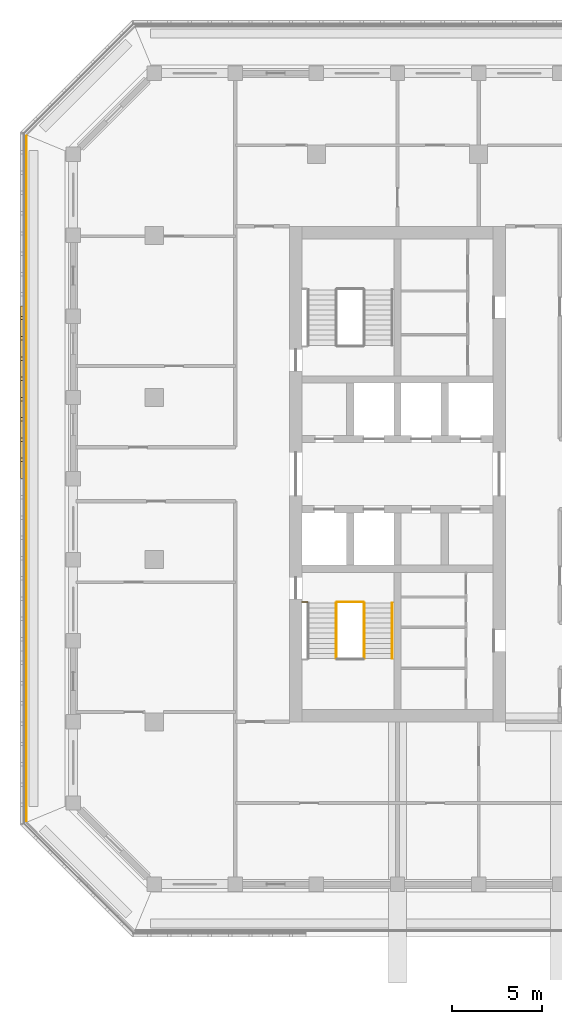
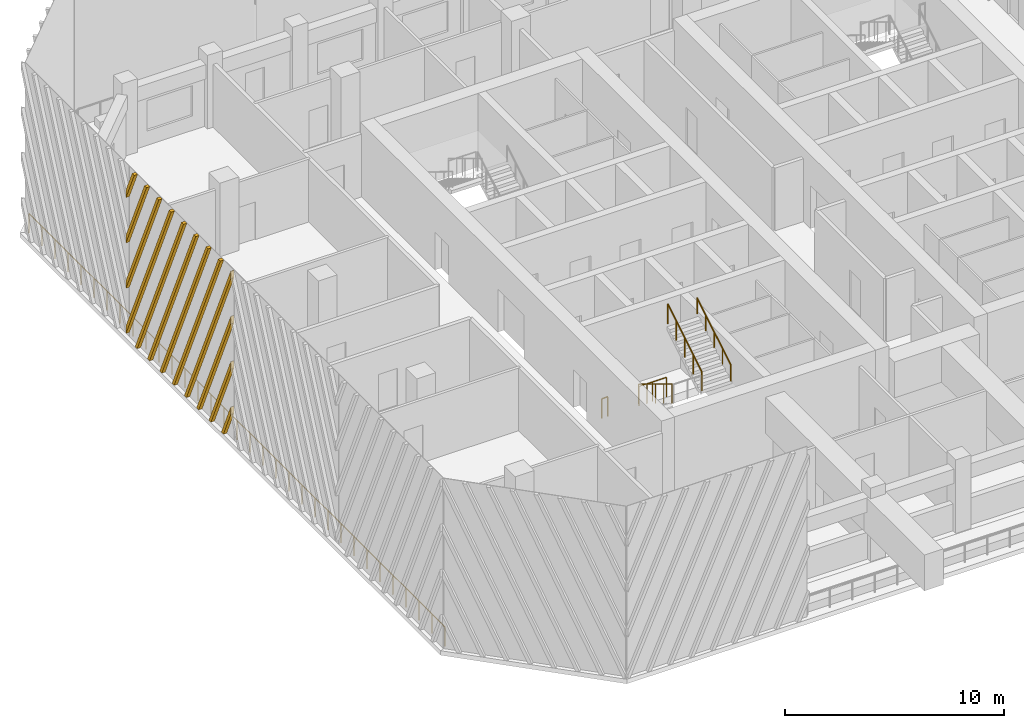
# One storey, part 11 of 16: 6 railings, 1 shading device.
"""IFC4 building model written with IfcOpenShell, lengths in metres."""

from ifc_helpers import new_model, si_unit, direction, frame, origin, origin_2d, place, context, subcontext, project, spatial, polyline, circle, outline, extrude, source, transform, mapped, material, type_object, element, save


model = new_model("IFC4")

# Units and contexts
model_context = context("Model", 3, precision=1e-05, world=origin(), true_north=direction((0.0, 1.0)))
body_context = subcontext(model_context, "Body", "Model", "MODEL_VIEW")
ifc_project = project(units=[si_unit("LENGTHUNIT", "METRE"), si_unit("AREAUNIT", "SQUARE_METRE"), si_unit("VOLUMEUNIT", "CUBIC_METRE"), si_unit("PLANEANGLEUNIT", "RADIAN"), si_unit("MASSUNIT", "GRAM", prefix="KILO")], contexts=[model_context])

# Site, building, storey
site_placement = place(None, origin())
site = spatial("IfcSite", under=ifc_project, at=site_placement, CompositionType="ELEMENT")
building_placement = place(site_placement, origin())
building = spatial("IfcBuilding", under=site, at=building_placement, Name="Corbel Stack Research Tower", CompositionType="ELEMENT")
storey_placement = place(building_placement, frame((0.0, 0.0, 290.89990234375)))
storey = spatial("IfcBuildingStorey", under=building, at=storey_placement, Name="L66", CompositionType="ELEMENT", Elevation=290.89990234375)

# Railings
ifc_material_1 = material(Name="Steel S355", Category="steel")
railing_type_1 = type_object("IfcRailingType", Name="Stair guard 1100", PredefinedType="GUARDRAIL", material=ifc_material_1)
railing_1_placement = place(storey_placement, frame((-7.89990234375, -2.39990234375, 0.1708984375)))
element("IfcRailing", 1, at=railing_1_placement, inside=storey, type_object=railing_type_1, Name="L66 ST-W1 stair guard 1", PredefinedType="GUARDRAIL", context=body_context, shape_type="SweptSolid", body=[
    extrude(circle(Radius=0.02392578125, at=origin_2d()), frame((0.0, 0.0, 1.076171875), z_axis=(0.0, -0.853666305674, 0.52082035152), x_axis=(1.0, 0.0, 0.0)), (0.0, 0.0, 1.0), 3.608154296875),
    extrude(circle(Radius=0.02099609375, at=origin_2d()), origin(), (0.0, 0.0, 1.0), 1.052001953125),
    extrude(circle(Radius=0.02099609375, at=origin_2d()), frame((0.0, -0.77001953125, 0.4697265625)), (0.0, 0.0, 1.0), 1.052001953125),
    extrude(circle(Radius=0.02099609375, at=origin_2d()), frame((0.0, -1.5400390625, 0.939453125)), (0.0, 0.0, 1.0), 1.052001953125),
    extrude(circle(Radius=0.02099609375, at=origin_2d()), frame((0.0, -2.31005859375, 1.409423828125)), (0.0, 0.0, 1.0), 1.052001953125),
    extrude(circle(Radius=0.02099609375, at=origin_2d()), frame((0.0, -3.080078125, 1.879150390625)), (0.0, 0.0, 1.0), 1.052001953125),
])
railing_2_placement = place(storey_placement, frame((-6.35009765625, -5.47998046875, 2.220947265625)))
element("IfcRailing", 2, at=railing_2_placement, inside=storey, type_object=railing_type_1, Name="L66 ST-W1 stair guard 4", PredefinedType="GUARDRAIL", context=body_context, shape_type="SweptSolid", body=[
    extrude(circle(Radius=0.02392578125, at=origin_2d()), frame((0.0, 0.0, 1.076171875), z_axis=(0.0, 0.853666305674, 0.52082035152), x_axis=(-1.0, 0.0, 0.0)), (0.0, 0.0, 1.0), 3.608154296875),
    extrude(circle(Radius=0.02099609375, at=origin_2d()), origin(), (0.0, 0.0, 1.0), 1.052001953125),
    extrude(circle(Radius=0.02099609375, at=origin_2d()), frame((0.0, 0.77001953125, 0.4697265625)), (0.0, 0.0, 1.0), 1.052001953125),
    extrude(circle(Radius=0.02099609375, at=origin_2d()), frame((0.0, 1.5400390625, 0.939453125)), (0.0, 0.0, 1.0), 1.052001953125),
    extrude(circle(Radius=0.02099609375, at=origin_2d()), frame((0.0, 2.31005859375, 1.409423828125)), (0.0, 0.0, 1.0), 1.052001953125),
    extrude(circle(Radius=0.02099609375, at=origin_2d()), frame((0.0, 3.080078125, 1.879150390625)), (0.0, 0.0, 1.0), 1.052001953125),
])
railing_3_placement = place(storey_placement, frame((-7.85009765625, -2.35009765625, 0.0)))
element("IfcRailing", 3, at=railing_3_placement, inside=storey, type_object=railing_type_1, Name="L66 ST-W1 stair guard 5", PredefinedType="GUARDRAIL", context=body_context, shape_type="SweptSolid", body=[
    extrude(circle(Radius=0.02392578125, at=origin_2d()), frame((0.0, 0.0, 1.076171875), z_axis=(1.0, 0.0, 0.0), x_axis=(0.0, 1.0, 0.0)), (0.0, 0.0, 1.0), 1.4501953125),
    extrude(circle(Radius=0.02099609375, at=origin_2d()), origin(), (0.0, 0.0, 1.0), 1.052001953125),
    extrude(circle(Radius=0.02099609375, at=origin_2d()), frame((0.72509765625, 0.0, 0.0)), (0.0, 0.0, 1.0), 1.052001953125),
    extrude(circle(Radius=0.02099609375, at=origin_2d()), frame((1.4501953125, 0.0, 0.0)), (0.0, 0.0, 1.0), 1.052001953125),
])
railing_4_placement = place(storey_placement, frame((-9.800048828125, -2.35009765625, 0.0)))
element("IfcRailing", 4, at=railing_4_placement, inside=storey, type_object=railing_type_1, Name="L66 ST-W1 stair guard 6", PredefinedType="GUARDRAIL", context=body_context, shape_type="SweptSolid", body=[
    extrude(circle(Radius=0.02392578125, at=origin_2d()), frame((0.0, 0.0, 1.076171875), z_axis=(1.0, 0.0, 0.0), x_axis=(0.0, 1.0, 0.0)), (0.0, 0.0, 1.0), 0.300048828125),
    extrude(circle(Radius=0.02099609375, at=origin_2d()), origin(), (0.0, 0.0, 1.0), 1.052001953125),
    extrude(circle(Radius=0.02099609375, at=origin_2d()), frame((0.300048828125, 0.0, 0.0)), (0.0, 0.0, 1.0), 1.052001953125),
])
ifc_material_2 = material(Name="Steel S355", Category="steel")
railing_type_2 = type_object("IfcRailingType", Name="Stair handrail 900", PredefinedType="HANDRAIL", material=ifc_material_2)
railing_5_placement = place(storey_placement, frame((-4.800048828125, -5.47998046875, 2.220947265625)))
element("IfcRailing", 5, at=railing_5_placement, inside=storey, type_object=railing_type_2, Name="L66 ST-W1 stair handrail 2", PredefinedType="HANDRAIL", context=body_context, shape_type="SweptSolid", body=[
    extrude(circle(Radius=0.02392578125, at=origin_2d()), frame((0.0, 0.0, 0.8759765625), z_axis=(0.0, 0.853666305674, 0.52082035152), x_axis=(-1.0, 0.0, 0.0)), (0.0, 0.0, 1.0), 3.608154296875),
    extrude(circle(Radius=0.02099609375, at=origin_2d()), origin(), (0.0, 0.0, 1.0), 0.851806640625),
    extrude(circle(Radius=0.02099609375, at=origin_2d()), frame((0.0, 0.77001953125, 0.4697265625)), (0.0, 0.0, 1.0), 0.851806640625),
    extrude(circle(Radius=0.02099609375, at=origin_2d()), frame((0.0, 1.5400390625, 0.939453125)), (0.0, 0.0, 1.0), 0.851806640625),
    extrude(circle(Radius=0.02099609375, at=origin_2d()), frame((0.0, 2.31005859375, 1.409423828125)), (0.0, 0.0, 1.0), 0.851806640625),
    extrude(circle(Radius=0.02099609375, at=origin_2d()), frame((0.0, 3.080078125, 1.879150390625)), (0.0, 0.0, 1.0), 0.851806640625),
])
ifc_material_3 = material(Name="Powder-coated steel guard", Category="steel")
railing_type_3 = type_object("IfcRailingType", Name="Steel and glass guard 1100", PredefinedType="GUARDRAIL", material=ifc_material_3)
railing_6_placement = place(storey_placement, frame((-25.10009765625, 23.50537109375, 0.0)))
element("IfcRailing", 6, at=railing_6_placement, inside=storey, type_object=railing_type_3, Name="Loggia guard L66 W", PredefinedType="GUARDRAIL", context=body_context, shape_type="SweptSolid", body=[
    extrude(circle(Radius=0.02392578125, at=origin_2d()), frame((0.0, 0.0, 1.076171875), z_axis=(0.0, -1.0, 0.0), x_axis=(1.0, 0.0, 0.0)), (0.0, 0.0, 1.0), 38.0107421875),
    extrude(circle(Radius=0.02099609375, at=origin_2d()), origin(), (0.0, 0.0, 1.0), 1.052001953125),
    extrude(circle(Radius=0.02099609375, at=origin_2d()), frame((0.0, -1.187744140625, 0.0)), (0.0, 0.0, 1.0), 1.052001953125),
    extrude(circle(Radius=0.02099609375, at=origin_2d()), frame((0.0, -2.375732421875, 0.0)), (0.0, 0.0, 1.0), 1.052001953125),
    extrude(circle(Radius=0.02099609375, at=origin_2d()), frame((0.0, -3.5634765625, 0.0)), (0.0, 0.0, 1.0), 1.052001953125),
    extrude(circle(Radius=0.02099609375, at=origin_2d()), frame((0.0, -4.75146484375, 0.0)), (0.0, 0.0, 1.0), 1.052001953125),
    extrude(circle(Radius=0.02099609375, at=origin_2d()), frame((0.0, -5.939208984375, 0.0)), (0.0, 0.0, 1.0), 1.052001953125),
    extrude(circle(Radius=0.02099609375, at=origin_2d()), frame((0.0, -7.126953125, 0.0)), (0.0, 0.0, 1.0), 1.052001953125),
    extrude(circle(Radius=0.02099609375, at=origin_2d()), frame((0.0, -8.31494140625, 0.0)), (0.0, 0.0, 1.0), 1.052001953125),
    extrude(circle(Radius=0.02099609375, at=origin_2d()), frame((0.0, -9.502685546875, 0.0)), (0.0, 0.0, 1.0), 1.052001953125),
    extrude(circle(Radius=0.02099609375, at=origin_2d()), frame((0.0, -10.6904296875, 0.0)), (0.0, 0.0, 1.0), 1.052001953125),
    extrude(circle(Radius=0.02099609375, at=origin_2d()), frame((0.0, -11.87841796875, 0.0)), (0.0, 0.0, 1.0), 1.052001953125),
    extrude(circle(Radius=0.02099609375, at=origin_2d()), frame((0.0, -13.066162109375, 0.0)), (0.0, 0.0, 1.0), 1.052001953125),
    extrude(circle(Radius=0.02099609375, at=origin_2d()), frame((0.0, -14.25390625, 0.0)), (0.0, 0.0, 1.0), 1.052001953125),
    extrude(circle(Radius=0.02099609375, at=origin_2d()), frame((0.0, -15.44189453125, 0.0)), (0.0, 0.0, 1.0), 1.052001953125),
    extrude(circle(Radius=0.02099609375, at=origin_2d()), frame((0.0, -16.629638671875, 0.0)), (0.0, 0.0, 1.0), 1.052001953125),
    extrude(circle(Radius=0.02099609375, at=origin_2d()), frame((0.0, -17.817626953125, 0.0)), (0.0, 0.0, 1.0), 1.052001953125),
    extrude(circle(Radius=0.02099609375, at=origin_2d()), frame((0.0, -19.00537109375, 0.0)), (0.0, 0.0, 1.0), 1.052001953125),
    extrude(circle(Radius=0.02099609375, at=origin_2d()), frame((0.0, -20.193115234375, 0.0)), (0.0, 0.0, 1.0), 1.052001953125),
    extrude(circle(Radius=0.02099609375, at=origin_2d()), frame((0.0, -21.381103515625, 0.0)), (0.0, 0.0, 1.0), 1.052001953125),
    extrude(circle(Radius=0.02099609375, at=origin_2d()), frame((0.0, -22.56884765625, 0.0)), (0.0, 0.0, 1.0), 1.052001953125),
    extrude(circle(Radius=0.02099609375, at=origin_2d()), frame((0.0, -23.7568359375, 0.0)), (0.0, 0.0, 1.0), 1.052001953125),
    extrude(circle(Radius=0.02099609375, at=origin_2d()), frame((0.0, -24.944580078125, 0.0)), (0.0, 0.0, 1.0), 1.052001953125),
    extrude(circle(Radius=0.02099609375, at=origin_2d()), frame((0.0, -26.13232421875, 0.0)), (0.0, 0.0, 1.0), 1.052001953125),
    extrude(circle(Radius=0.02099609375, at=origin_2d()), frame((0.0, -27.3203125, 0.0)), (0.0, 0.0, 1.0), 1.052001953125),
    extrude(circle(Radius=0.02099609375, at=origin_2d()), frame((0.0, -28.508056640625, 0.0)), (0.0, 0.0, 1.0), 1.052001953125),
    extrude(circle(Radius=0.02099609375, at=origin_2d()), frame((0.0, -29.69580078125, 0.0)), (0.0, 0.0, 1.0), 1.052001953125),
    extrude(circle(Radius=0.02099609375, at=origin_2d()), frame((0.0, -30.8837890625, 0.0)), (0.0, 0.0, 1.0), 1.052001953125),
    extrude(circle(Radius=0.02099609375, at=origin_2d()), frame((0.0, -32.071533203125, 0.0)), (0.0, 0.0, 1.0), 1.052001953125),
    extrude(circle(Radius=0.02099609375, at=origin_2d()), frame((0.0, -33.25927734375, 0.0)), (0.0, 0.0, 1.0), 1.052001953125),
    extrude(circle(Radius=0.02099609375, at=origin_2d()), frame((0.0, -34.447265625, 0.0)), (0.0, 0.0, 1.0), 1.052001953125),
    extrude(circle(Radius=0.02099609375, at=origin_2d()), frame((0.0, -35.635009765625, 0.0)), (0.0, 0.0, 1.0), 1.052001953125),
    extrude(circle(Radius=0.02099609375, at=origin_2d()), frame((0.0, -36.822998046875, 0.0)), (0.0, 0.0, 1.0), 1.052001953125),
    extrude(circle(Radius=0.02099609375, at=origin_2d()), frame((0.0, -38.0107421875, 0.0)), (0.0, 0.0, 1.0), 1.052001953125),
])

# Shading device
ifc_material_4 = material(Name="Precast terracotta", Category="masonry")
shading_device_type = type_object("IfcShadingDeviceType", Name="Terracotta screen panel", PredefinedType="USERDEFINED", material=ifc_material_4)
shared_shape = source(origin(), body_context, "Body", "SweptSolid", [
    extrude(outline(polyline([(0.752197265625, 9.5), (0.56201171875, 9.5), (0.0, 8.237548828125), (0.0, 7.810791015625), (0.752197265625, 9.5)])), frame((0.0, 0.0, 0.0), z_axis=(0.0, -1.0, 0.0), x_axis=(1.0, 0.0, 0.0)), (0.0, 0.0, 1.0), 0.179931640625),
    extrude(outline(polyline([(1.877197265625, 9.5), (1.68701171875, 9.5), (0.0, 5.710693359375), (0.0, 5.283935546875), (1.877197265625, 9.5)])), frame((0.0, 0.0, 0.0), z_axis=(0.0, -1.0, 0.0), x_axis=(1.0, 0.0, 0.0)), (0.0, 0.0, 1.0), 0.179931640625),
    extrude(outline(polyline([(3.002197265625, 9.5), (2.81201171875, 9.5), (0.0, 3.18408203125), (0.0, 2.757080078125), (3.002197265625, 9.5)])), frame((0.0, 0.0, 0.0), z_axis=(0.0, -1.0, 0.0), x_axis=(1.0, 0.0, 0.0)), (0.0, 0.0, 1.0), 0.179931640625),
    extrude(outline(polyline([(4.127197265625, 9.5), (3.93701171875, 9.5), (0.0, 0.6572265625), (0.0, 0.23046875), (4.127197265625, 9.5)])), frame((0.0, 0.0, 0.0), z_axis=(0.0, -1.0, 0.0), x_axis=(1.0, 0.0, 0.0)), (0.0, 0.0, 1.0), 0.179931640625),
    extrude(outline(polyline([(1.0224609375, 0.0), (5.252197265625, 9.5), (5.06201171875, 9.5), (0.83251953125, 0.0), (1.0224609375, 0.0)])), frame((0.0, 0.0, 0.0), z_axis=(0.0, -1.0, 0.0), x_axis=(1.0, 0.0, 0.0)), (0.0, 0.0, 1.0), 0.179931640625),
    extrude(outline(polyline([(2.1474609375, 0.0), (6.377197265625, 9.5), (6.18701171875, 9.5), (1.95751953125, 0.0), (2.1474609375, 0.0)])), frame((0.0, 0.0, 0.0), z_axis=(0.0, -1.0, 0.0), x_axis=(1.0, 0.0, 0.0)), (0.0, 0.0, 1.0), 0.179931640625),
    extrude(outline(polyline([(3.2724609375, 0.0), (7.502197265625, 9.5), (7.31201171875, 9.5), (3.08251953125, 0.0), (3.2724609375, 0.0)])), frame((0.0, 0.0, 0.0), z_axis=(0.0, -1.0, 0.0), x_axis=(1.0, 0.0, 0.0)), (0.0, 0.0, 1.0), 0.179931640625),
    extrude(outline(polyline([(4.3974609375, 0.0), (8.627197265625, 9.5), (8.43701171875, 9.5), (4.20751953125, 0.0), (4.3974609375, 0.0)])), frame((0.0, 0.0, 0.0), z_axis=(0.0, -1.0, 0.0), x_axis=(1.0, 0.0, 0.0)), (0.0, 0.0, 1.0), 0.179931640625),
    extrude(outline(polyline([(5.5224609375, 0.0), (9.569580078125, 9.090087890625), (9.569580078125, 9.5), (9.56201171875, 9.5), (5.33251953125, 0.0), (5.5224609375, 0.0)])), frame((0.0, 0.0, 0.0), z_axis=(0.0, -1.0, 0.0), x_axis=(1.0, 0.0, 0.0)), (0.0, 0.0, 1.0), 0.179931640625),
    extrude(outline(polyline([(6.6474609375, 0.0), (9.569580078125, 6.563232421875), (9.569580078125, 6.989990234375), (6.45751953125, 0.0), (6.6474609375, 0.0)])), frame((0.0, 0.0, 0.0), z_axis=(0.0, -1.0, 0.0), x_axis=(1.0, 0.0, 0.0)), (0.0, 0.0, 1.0), 0.179931640625),
    extrude(outline(polyline([(7.7724609375, 0.0), (9.569580078125, 4.036376953125), (9.569580078125, 4.463134765625), (7.58251953125, 0.0), (7.7724609375, 0.0)])), frame((0.0, 0.0, 0.0), z_axis=(0.0, -1.0, 0.0), x_axis=(1.0, 0.0, 0.0)), (0.0, 0.0, 1.0), 0.179931640625),
    extrude(outline(polyline([(8.8974609375, 0.0), (9.569580078125, 1.509521484375), (9.569580078125, 1.936279296875), (8.70751953125, 0.0), (8.8974609375, 0.0)])), frame((0.0, 0.0, 0.0), z_axis=(0.0, -1.0, 0.0), x_axis=(1.0, 0.0, 0.0)), (0.0, 0.0, 1.0), 0.179931640625),
])
shading_device_placement = place(storey_placement, frame((-25.25, 14.069580078125, 0.0), z_axis=(0.0, 0.0, 1.0), x_axis=(0.0, -1.0, 0.0)))
element("IfcShadingDevice", 7, at=shading_device_placement, inside=storey, type_object=shading_device_type, Name="Terracotta screen L66 W2", ObjectType="SCREEN", PredefinedType="USERDEFINED", context=body_context, shape_type="MappedRepresentation", body=[
    mapped(shared_shape, transform((0.0, 0.0, 0.0))),
])

save(model, "model.ifc")
